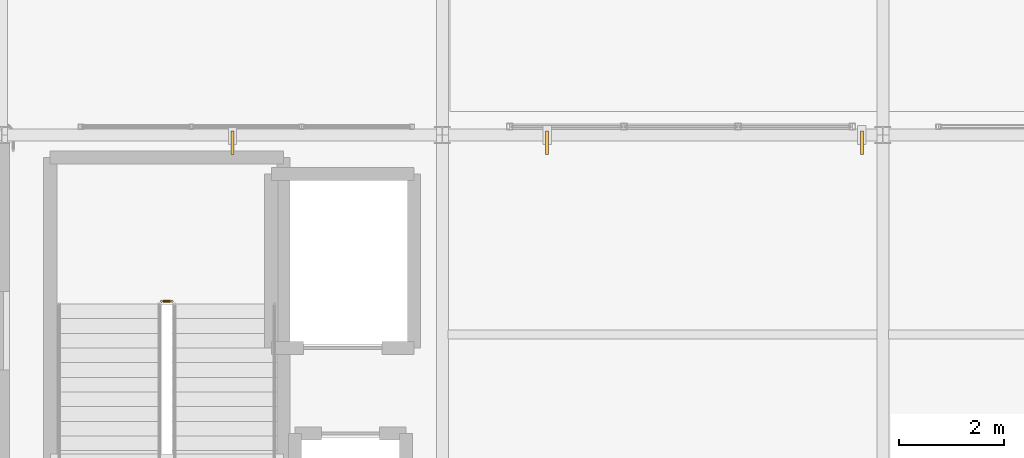
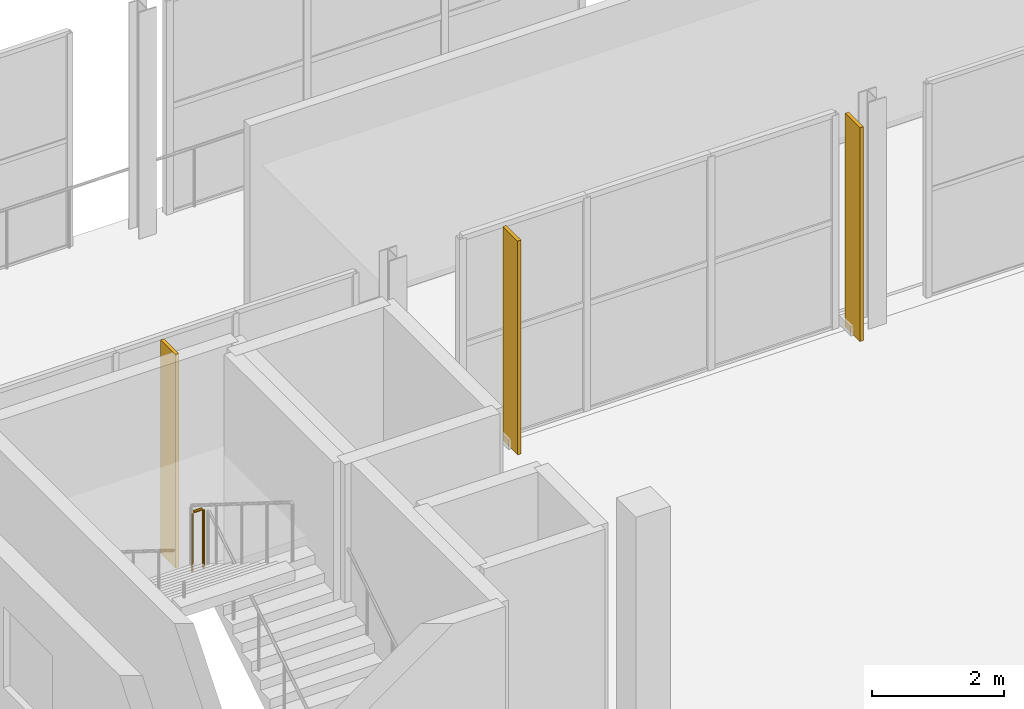
# One storey, part 139 of 151: 3 shading devices, 1 railing.
"""IFC4 building model written with IfcOpenShell, lengths in metres."""

from ifc_helpers import new_model, si_unit, direction, frame, origin, origin_2d, place, context, subcontext, project, spatial, rectangle, circle, extrude, material, type_object, element, save


model = new_model("IFC4")

# Units and contexts
model_context = context("Model", 3, precision=1e-05, world=origin(), true_north=direction((0.0, 1.0)))
body_context = subcontext(model_context, "Body", "Model", "MODEL_VIEW")
ifc_project = project(units=[si_unit("LENGTHUNIT", "METRE"), si_unit("AREAUNIT", "SQUARE_METRE"), si_unit("VOLUMEUNIT", "CUBIC_METRE"), si_unit("PLANEANGLEUNIT", "RADIAN"), si_unit("MASSUNIT", "GRAM", prefix="KILO")], contexts=[model_context])

# Site, building, storey
site_placement = place(None, origin())
site = spatial("IfcSite", under=ifc_project, at=site_placement, CompositionType="ELEMENT")
building_placement = place(site_placement, origin())
building = spatial("IfcBuilding", under=site, at=building_placement, Name="Zuvorla Pavilion Media Centre", CompositionType="ELEMENT")
storey_placement = place(building_placement, frame((0.0, 0.0, 13.800048828125)))
storey = spatial("IfcBuildingStorey", under=building, at=storey_placement, Name="L03", CompositionType="ELEMENT", Elevation=13.800048828125)

# Railing
ifc_material_1 = material(Name="Powder-coated steel balustrade guard", Category="steel")
railing_type = type_object("IfcRailingType", Name="RL-INT-GRD", PredefinedType="BALUSTRADE", material=ifc_material_1)
railing_placement = place(storey_placement, frame((44.85009765625, 40.830078125, 2.099853515625)))
element("IfcRailing", 1, at=railing_placement, inside=storey, type_object=railing_type, Name="L03 ST-03 stair guard 2", PredefinedType="BALUSTRADE", context=body_context, shape_type="SweptSolid", body=[
    extrude(circle(Radius=0.02392578125, at=origin_2d()), frame((-0.02880859375, 0.0, 1.09619140625), z_axis=(-1.0, 0.0, 0.0), x_axis=(0.0, -1.0, 0.0)), (0.0, 0.0, 1.0), 0.142578125),
    extrude(circle(Radius=0.02099609375, at=origin_2d()), origin(), (0.0, 0.0, 1.0), 1.070068359375),
    extrude(circle(Radius=0.02099609375, at=origin_2d()), frame((-0.2001953125, 0.0, 0.0)), (0.0, 0.0, 1.0), 1.070068359375),
])

# Shading devices
ifc_material_2 = material(Name="Anodised aluminium aerofoil brise-soleil fin", Category="aluminium")
shading_device_type = type_object("IfcShadingDeviceType", Name="SHD-FIN-ALU", PredefinedType="USERDEFINED", material=ifc_material_2)
for number, where, z_axis, x_axis, name in (
    (2, (46.0, 43.85009765625, 0.0), (0.0, 0.0, 1.0), (1.0, 0.0, 0.0), "L03 aluminium solar fin 16"),
    (3, (52.0, 43.85009765625, 0.0), (0.0, 0.0, 1.0), (1.0, 0.0, 0.0), "L03 aluminium solar fin 17"),
    (4, (58.0, 43.85009765625, 0.0), (0.0, 0.0, 1.0), (1.0, 0.0, 0.0), "L03 aluminium solar fin 18"),
):
    element("IfcShadingDevice", number, at=place(storey_placement, frame(where, z_axis=z_axis, x_axis=x_axis)), inside=storey, type_object=shading_device_type, Name=name, ObjectType="FIN", PredefinedType="USERDEFINED", context=body_context, shape_type="SweptSolid", body=[
        extrude(rectangle(XDim=0.06005859375, YDim=0.449951171875, at=origin_2d()), origin(), (0.0, 0.0, 1.0), 3.9599609375),
    ])

save(model, "model.ifc")
